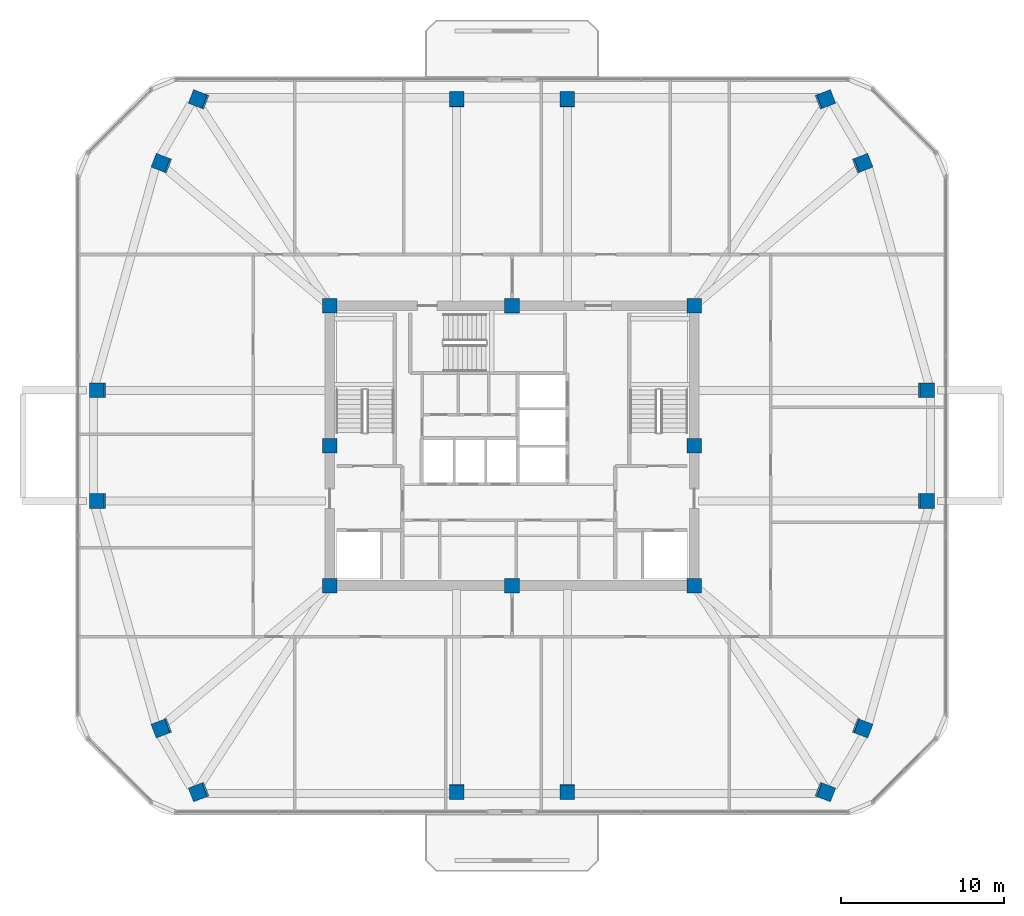
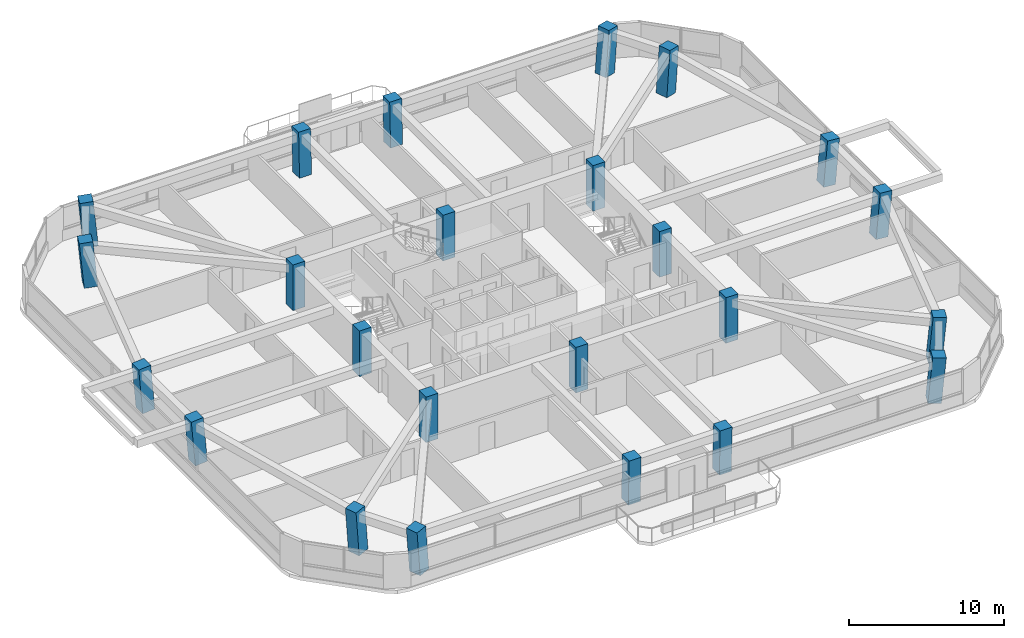
# One storey, part 1 of 13: 24 columns.
"""IFC4 building model written with IfcOpenShell, lengths in metres."""

import ifcopenshell
import ifcopenshell.guid

model = None  # the IFC model being written
_history = None  # IfcOwnerHistory: only IFC2X3 demands one
_inside = {}  # id of a spatial element -> (the spatial element, [elements in it])
_under = {}  # id of a project, library or spatial element -> (it, [spatial elements below it])
_declared = {}  # id of a project -> (the project, [libraries it declares])
_typed = {}  # id of a type object -> (the type object, [elements of that type])
_made_of = {}  # id of a material, layer set ... -> (it, [elements and type objects made of it])


def new_model(schema):
    """Start an empty IFC model of exactly this schema.

    Asked for "IFC4X3", IfcOpenShell would pick the latest addendum, in which some entities
    have other attributes; the version numbers below select the first issue.
    IFC2X3 requires an IfcOwnerHistory on every rooted entity: one is made here for all.
    """
    global model, _history
    if schema == "IFC4X3":
        model = ifcopenshell.file(schema_version=(4, 3, 0, 0))
    else:
        model = ifcopenshell.file(schema=schema)
    _inside.clear()
    _under.clear()
    _declared.clear()
    _typed.clear()
    _made_of.clear()
    _history = None
    if model.schema == "IFC2X3":
        org = make("IfcOrganization", Name="unknown")
        user = make(
            "IfcPersonAndOrganization",
            ThePerson=make("IfcPerson", FamilyName="unknown"),
            TheOrganization=org,
        )
        app = make(
            "IfcApplication",
            ApplicationDeveloper=org,
            Version="unknown",
            ApplicationFullName="unknown",
            ApplicationIdentifier="unknown",
        )
        _history = make(
            "IfcOwnerHistory",
            OwningUser=user,
            OwningApplication=app,
            ChangeAction="ADDED",
            CreationDate=0,
        )
    return model


def make(cls, **values):
    """One entity of the class cls with the attributes given. An attribute that is None is left unset."""
    return model.create_entity(
        cls, **{name: value for name, value in values.items() if value is not None}
    )


def rooted(cls, **values):
    """An entity with a GlobalId (a new one), such as an element, a storey or a relation."""
    return make(cls, GlobalId=ifcopenshell.guid.new(), OwnerHistory=_history, **values)


def si_unit(unit_type, name, prefix=None):
    """IfcSIUnit, for example si_unit("LENGTHUNIT", "METRE", prefix="MILLI")."""
    return make("IfcSIUnit", UnitType=unit_type, Prefix=prefix, Name=name)


def derived_unit(unit_type, elements):
    """IfcDerivedUnit: a product of units, each with its exponent."""
    return make(
        "IfcDerivedUnit",
        Elements=[
            make("IfcDerivedUnitElement", Unit=unit, Exponent=power)
            for unit, power in elements
        ],
        UnitType=unit_type,
    )


def assignment(units):
    """IfcUnitAssignment: the units of a project."""
    return None if units is None else make("IfcUnitAssignment", Units=units)


def point(xyz):
    """IfcCartesianPoint."""
    return None if xyz is None else make("IfcCartesianPoint", Coordinates=xyz)


def direction(xyz):
    """IfcDirection."""
    return None if xyz is None else make("IfcDirection", DirectionRatios=xyz)


def frame(location, z_axis=None, x_axis=None):
    """IfcAxis2Placement3D, a coordinate frame: its origin and axes. An axis left out is left unset."""
    return make(
        "IfcAxis2Placement3D",
        Location=point(location),
        Axis=direction(z_axis),
        RefDirection=direction(x_axis),
    )


def frame_2d(location, x_axis=None):
    """IfcAxis2Placement2D, a coordinate frame in the plane: its origin and x axis."""
    return make(
        "IfcAxis2Placement2D", Location=point(location), RefDirection=direction(x_axis)
    )


def origin():
    """The frame at (0, 0, 0) with its axes left unset."""
    return frame((0.0, 0.0, 0.0))


def origin_2d():
    """The frame at (0, 0) in the plane with its x axis left unset."""
    return frame_2d((0.0, 0.0))


def place(relative_to, where):
    """IfcLocalPlacement: puts the frame where relative to a parent placement (None: the world)."""
    return make(
        "IfcLocalPlacement", PlacementRelTo=relative_to, RelativePlacement=where
    )


def context(
    kind, dimensions, precision=None, world=None, true_north=None, identifier=None
):
    """IfcGeometricRepresentationContext, for example the 3D "Model" context."""
    return make(
        "IfcGeometricRepresentationContext",
        ContextIdentifier=identifier,
        ContextType=kind,
        CoordinateSpaceDimension=dimensions,
        Precision=precision,
        WorldCoordinateSystem=world,
        TrueNorth=true_north,
    )


def subcontext(parent, identifier, kind, view, scale=None):
    """IfcGeometricRepresentationSubContext, for example "Body" below "Model"."""
    return make(
        "IfcGeometricRepresentationSubContext",
        ContextIdentifier=identifier,
        ContextType=kind,
        ParentContext=parent,
        TargetScale=scale,
        TargetView=view,
    )


def project(units=None, contexts=None):
    """IfcProject with its units and contexts."""
    return rooted(
        "IfcProject",
        Name="project",
        RepresentationContexts=contexts,
        UnitsInContext=assignment(units),
    )


def spatial(cls, under=None, at=None, **own):
    """A site, building, storey or space (cls), placed at a placement, below another one or the project."""
    s = rooted(cls, ObjectPlacement=at, **own)
    if under is not None:
        _under.setdefault(under.id(), (under, []))[1].append(s)
    return s


def profile(cls, at=None, kind="AREA", **sizes):
    """A parametric profile (cls). Its sizes go by their IFC names, for example OverallWidth=200.0."""
    return make(cls, ProfileType=kind, Position=at, **sizes)


def rectangle(**sizes):
    """IfcRectangleProfileDef."""
    return profile("IfcRectangleProfileDef", **sizes)


def extrude(swept, where, along, depth):
    """IfcExtrudedAreaSolid: the profile swept, set in the frame where, extruded along a direction by depth."""
    return make(
        "IfcExtrudedAreaSolid",
        SweptArea=swept,
        Position=where,
        ExtrudedDirection=direction(along),
        Depth=depth,
    )


def shape(context_of_items, identifier, shape_type, items):
    """IfcShapeRepresentation: the items that make up one representation, for example the "Body"."""
    return make(
        "IfcShapeRepresentation",
        ContextOfItems=context_of_items,
        RepresentationIdentifier=identifier,
        RepresentationType=shape_type,
        Items=items,
    )


def material(Name=None, Category=None):
    """IfcMaterial."""
    return make("IfcMaterial", Name=Name, Category=Category)


def material_profile(
    of_material, cross_section, Name=None, Category=None, Priority=None
):
    """IfcMaterialProfile: a cross section and its material."""
    return make(
        "IfcMaterialProfile",
        Name=Name,
        Material=of_material,
        Profile=cross_section,
        Priority=Priority,
        Category=Category,
    )


def profile_set(profiles, Name=None, composite=None):
    """IfcMaterialProfileSet."""
    return make(
        "IfcMaterialProfileSet",
        Name=Name,
        MaterialProfiles=profiles,
        CompositeProfile=composite,
    )


def made_of(thing, what):
    """Note that an element or type object is made of a material, layer set ...; save() writes the relation."""
    if what is not None:
        _made_of.setdefault(what.id(), (what, []))[1].append(thing)
    return thing


def type_object(cls, material=None, **own):
    """A type object (cls), such as IfcWallType, which elements share."""
    return made_of(rooted(cls, **own), material)


def element(
    cls,
    number,
    at=None,
    inside=None,
    cuts=None,
    type_object=None,
    material=None,
    context=None,
    identifier="Body",
    shape_type=None,
    held_by="IfcProductDefinitionShape",
    body=None,
    shapes=None,
    **own,
):
    """One element of the class cls, such as IfcWall. Its Tag is "e" and its number.

    at: its placement. inside: the storey or other place that contains it. cuts: it is an
    opening in that element (IfcRelVoidsElement). A single representation is given by context,
    identifier, shape_type and body (its items); several are given by shapes. held_by: the class
    of the entity that holds the representations. save() writes the other relations.
    """
    e = rooted(cls, Tag="e%d" % number, ObjectPlacement=at, **own)
    if body is not None:
        shapes = [shape(context, identifier, shape_type, body)]
    if shapes is not None:
        e.Representation = make(held_by, Representations=shapes)
    if inside is not None:
        _inside.setdefault(inside.id(), (inside, []))[1].append(e)
    if cuts is not None:
        rooted(
            "IfcRelVoidsElement", RelatingBuildingElement=cuts, RelatedOpeningElement=e
        )
    if type_object is not None:
        _typed.setdefault(type_object.id(), (type_object, []))[1].append(e)
    return made_of(e, material)


def aggregate(whole, parts):
    """IfcRelAggregates: a whole, such as a stair, and the parts it consists of."""
    return rooted("IfcRelAggregates", RelatingObject=whole, RelatedObjects=parts)


def save(model, path):
    """Write the relations noted so far, then the file.

    IfcRelAggregates (storeys below a building ...), IfcRelContainedInSpatialStructure (elements
    in a storey), IfcRelDefinesByType, IfcRelAssociatesMaterial and IfcRelDeclares: one each for
    every whole, place, type object, material and project.
    """
    for whole, parts in _under.values():
        aggregate(whole, parts)
    for where, things in _inside.values():
        rooted(
            "IfcRelContainedInSpatialStructure",
            RelatedElements=things,
            RelatingStructure=where,
        )
    for kind, things in _typed.values():
        rooted("IfcRelDefinesByType", RelatedObjects=things, RelatingType=kind)
    for what, things in _made_of.values():
        rooted("IfcRelAssociatesMaterial", RelatedObjects=things, RelatingMaterial=what)
    for by, libraries in _declared.values():
        rooted("IfcRelDeclares", RelatingContext=by, RelatedDefinitions=libraries)
    model.write(path)


model = new_model("IFC4")

# Units and contexts
model_context = context("Model", 3, precision=1e-05, world=origin(), true_north=direction((0.0, 1.0)))
body_context = subcontext(model_context, "Body", "Model", "MODEL_VIEW")
ifc_project = project(units=[si_unit("LENGTHUNIT", "METRE"), si_unit("AREAUNIT", "SQUARE_METRE"), si_unit("VOLUMEUNIT", "CUBIC_METRE"), si_unit("PLANEANGLEUNIT", "RADIAN"), si_unit("MASSUNIT", "GRAM", prefix="KILO"), derived_unit("THERMALTRANSMITTANCEUNIT", [(si_unit("POWERUNIT", "WATT"), 1), (si_unit("LENGTHUNIT", "METRE"), -2), (si_unit("THERMODYNAMICTEMPERATUREUNIT", "KELVIN"), -1)])], contexts=[model_context])

# Site, building, storey
site_placement = place(None, origin())
site = spatial("IfcSite", under=ifc_project, at=site_placement, CompositionType="ELEMENT")
building_placement = place(site_placement, origin())
building = spatial("IfcBuilding", under=site, at=building_placement, Name="Koralith Skygarden Medical Center", CompositionType="ELEMENT")
storey_placement = place(building_placement, frame((0.0, 0.0, 217.97998046875)))
storey = spatial("IfcBuildingStorey", under=building, at=storey_placement, Name="L56", CompositionType="ELEMENT", Elevation=217.97998046875)

# Columns
ifc_material = material(Name="Concrete C55/67", Category="concrete")
ifc_material_profile_1 = material_profile(ifc_material, rectangle(XDim=0.89990234375, YDim=0.89990234375, at=origin_2d()), Name="RC900X900")
ifc_profile_set_1 = profile_set([ifc_material_profile_1], Name="Concrete C55/67")
column_type_1 = type_object("IfcColumnType", Name="Core Column C55 RC900", PredefinedType="COLUMN", material=ifc_profile_set_1)
for number, where, z_axis, x_axis, name in (
    (1, (25.800048828125, 17.300048828125, 0.0), (0.0, 0.0, 1.0), (1.0, 0.0, 0.0), "L56 Core Column CC-01"),
    (2, (37.0, 17.300048828125, 0.0), (0.0, 0.0, 1.0), (1.0, 0.0, 0.0), "L56 Core Column CC-02"),
    (3, (48.199951171875, 17.300048828125, 0.0), (0.0, 0.0, 1.0), (1.0, 0.0, 0.0), "L56 Core Column CC-03"),
    (4, (48.199951171875, 25.89990234375, 0.0), (0.0, 0.0, 1.0), (1.0, 0.0, 0.0), "L56 Core Column CC-04"),
    (5, (48.199951171875, 34.5, 0.0), (0.0, 0.0, 1.0), (1.0, 0.0, 0.0), "L56 Core Column CC-05"),
    (6, (37.0, 34.5, 0.0), (0.0, 0.0, 1.0), (1.0, 0.0, 0.0), "L56 Core Column CC-06"),
    (7, (25.800048828125, 34.5, 0.0), (0.0, 0.0, 1.0), (1.0, 0.0, 0.0), "L56 Core Column CC-07"),
    (8, (25.800048828125, 25.89990234375, 0.0), (0.0, 0.0, 1.0), (1.0, 0.0, 0.0), "L56 Core Column CC-08"),
):
    element("IfcColumn", number, at=place(storey_placement, frame(where, z_axis=z_axis, x_axis=x_axis)), inside=storey, type_object=column_type_1, Name=name, PredefinedType="COLUMN", context=body_context, shape_type="SweptSolid", body=[
        extrude(rectangle(XDim=0.89990234375, YDim=0.89990234375, at=origin_2d()), origin(), (0.0, 0.0, 1.0), 3.60009765625),
    ])
ifc_material_profile_2 = material_profile(ifc_material, rectangle(XDim=0.89990234375, YDim=0.89990234375, at=origin_2d()), Name="RC900X900")
ifc_profile_set_2 = profile_set([ifc_material_profile_2], Name="Concrete C55/67")
column_type_2 = type_object("IfcColumnType", Name="Zone 4 Flare Mega-Column C55 RC900", PredefinedType="COLUMN", material=ifc_profile_set_2)
column_1_placement = place(storey_placement, frame((11.5810546875, 22.5, 0.02099609375), z_axis=(-0.084844599786, 0.0, 0.996394196032), x_axis=(0.0, -1.0, 0.0)))
element("IfcColumn", 9, at=column_1_placement, inside=storey, type_object=column_type_2, Name="L56 Perimeter Mega-Column MC-01", PredefinedType="COLUMN", context=body_context, shape_type="SweptSolid", body=[
    extrude(rectangle(XDim=0.89990234375, YDim=0.89990234375, at=origin_2d()), origin(), (0.0, 0.0, 1.0), 3.571044921875),
])
for number, where, z_axis, x_axis, name in (
    (10, (15.5009765625, 8.555908203125, 0.02099609375), (-0.084799896141, -0.032457655654, 0.995869207378), (0.357465730512, -0.933926255927, 0.0), "L56 Perimeter Mega-Column MC-02"),
    (11, (17.7919921875, 4.635986328125, 0.02099609375), (-0.084528524595, -0.032458406776, 0.995892253389), (0.358473312771, -0.933539974522, 0.0), "L56 Perimeter Mega-Column MC-03"),
):
    element("IfcColumn", number, at=place(storey_placement, frame(where, z_axis=z_axis, x_axis=x_axis)), inside=storey, type_object=column_type_2, Name=name, PredefinedType="COLUMN", context=body_context, shape_type="SweptSolid", body=[
        extrude(rectangle(XDim=0.89990234375, YDim=0.89990234375, at=origin_2d()), origin(), (0.0, 0.0, 1.0), 3.57275390625),
    ])
for number, where, z_axis, x_axis, name in (
    (12, (33.60009765625, 4.635986328125, 0.02099609375), (0.0, -0.032574990718, 0.999469294166), (1.0, 0.0, 0.0), "L56 Perimeter Mega-Column MC-04"),
    (13, (40.39990234375, 4.635986328125, 0.02099609375), (0.0, -0.032574990718, 0.999469294166), (1.0, 0.0, 0.0), "L56 Perimeter Mega-Column MC-05"),
):
    element("IfcColumn", number, at=place(storey_placement, frame(where, z_axis=z_axis, x_axis=x_axis)), inside=storey, type_object=column_type_2, Name=name, PredefinedType="COLUMN", context=body_context, shape_type="SweptSolid", body=[
        extrude(rectangle(XDim=0.89990234375, YDim=0.89990234375, at=origin_2d()), origin(), (0.0, 0.0, 1.0), 3.56005859375),
    ])
for number, where, z_axis, x_axis, name in (
    (14, (56.2080078125, 4.635986328125, 0.02099609375), (0.084528524595, -0.032458406776, 0.995892253389), (0.358473312771, 0.933539974522, 0.0), "L56 Perimeter Mega-Column MC-06"),
    (15, (58.4990234375, 8.555908203125, 0.02099609375), (0.084799896141, -0.032457655654, 0.995869207378), (0.357465730512, 0.933926255927, 0.0), "L56 Perimeter Mega-Column MC-07"),
):
    element("IfcColumn", number, at=place(storey_placement, frame(where, z_axis=z_axis, x_axis=x_axis)), inside=storey, type_object=column_type_2, Name=name, PredefinedType="COLUMN", context=body_context, shape_type="SweptSolid", body=[
        extrude(rectangle(XDim=0.89990234375, YDim=0.89990234375, at=origin_2d()), origin(), (0.0, 0.0, 1.0), 3.57275390625),
    ])
for number, where, z_axis, x_axis, name in (
    (16, (62.4189453125, 22.5, 0.02099609375), (0.084844599786, 0.0, 0.996394196032), (0.0, 1.0, 0.0), "L56 Perimeter Mega-Column MC-08"),
    (17, (62.4189453125, 29.300048828125, 0.02099609375), (0.084844599786, 0.0, 0.996394196032), (0.0, 1.0, 0.0), "L56 Perimeter Mega-Column MC-09"),
):
    element("IfcColumn", number, at=place(storey_placement, frame(where, z_axis=z_axis, x_axis=x_axis)), inside=storey, type_object=column_type_2, Name=name, PredefinedType="COLUMN", context=body_context, shape_type="SweptSolid", body=[
        extrude(rectangle(XDim=0.89990234375, YDim=0.89990234375, at=origin_2d()), origin(), (0.0, 0.0, 1.0), 3.571044921875),
    ])
for number, where, z_axis, x_axis, name in (
    (18, (58.4990234375, 43.243896484375, 0.02099609375), (0.084799707866, 0.032525915346, 0.995866996329), (-0.358121861648, 0.933674853581, 0.0), "L56 Perimeter Mega-Column MC-10"),
    (19, (56.2080078125, 47.1640625, 0.02099609375), (0.084528524595, 0.032458406776, 0.995892253389), (-0.358473312771, 0.933539974522, 0.0), "L56 Perimeter Mega-Column MC-11"),
):
    element("IfcColumn", number, at=place(storey_placement, frame(where, z_axis=z_axis, x_axis=x_axis)), inside=storey, type_object=column_type_2, Name=name, PredefinedType="COLUMN", context=body_context, shape_type="SweptSolid", body=[
        extrude(rectangle(XDim=0.89990234375, YDim=0.89990234375, at=origin_2d()), origin(), (0.0, 0.0, 1.0), 3.57275390625),
    ])
for number, where, z_axis, x_axis, name in (
    (20, (40.39990234375, 47.1640625, 0.02099609375), (0.0, 0.032574990718, 0.999469294166), (-1.0, 0.0, 0.0), "L56 Perimeter Mega-Column MC-12"),
    (21, (33.60009765625, 47.1640625, 0.02099609375), (0.0, 0.032574990718, 0.999469294166), (-1.0, 0.0, 0.0), "L56 Perimeter Mega-Column MC-13"),
):
    element("IfcColumn", number, at=place(storey_placement, frame(where, z_axis=z_axis, x_axis=x_axis)), inside=storey, type_object=column_type_2, Name=name, PredefinedType="COLUMN", context=body_context, shape_type="SweptSolid", body=[
        extrude(rectangle(XDim=0.89990234375, YDim=0.89990234375, at=origin_2d()), origin(), (0.0, 0.0, 1.0), 3.56005859375),
    ])
for number, where, z_axis, x_axis, name in (
    (22, (17.7919921875, 47.1640625, 0.02099609375), (-0.084528524595, 0.032458406776, 0.995892253389), (-0.358473312771, -0.933539974522, 0.0), "L56 Perimeter Mega-Column MC-14"),
    (23, (15.5009765625, 43.243896484375, 0.02099609375), (-0.084799707866, 0.032525915346, 0.995866996329), (-0.358121861648, -0.933674853581, 0.0), "L56 Perimeter Mega-Column MC-15"),
):
    element("IfcColumn", number, at=place(storey_placement, frame(where, z_axis=z_axis, x_axis=x_axis)), inside=storey, type_object=column_type_2, Name=name, PredefinedType="COLUMN", context=body_context, shape_type="SweptSolid", body=[
        extrude(rectangle(XDim=0.89990234375, YDim=0.89990234375, at=origin_2d()), origin(), (0.0, 0.0, 1.0), 3.57275390625),
    ])
column_2_placement = place(storey_placement, frame((11.5810546875, 29.300048828125, 0.02099609375), z_axis=(-0.084844599786, 0.0, 0.996394196032), x_axis=(0.0, -1.0, 0.0)))
element("IfcColumn", 24, at=column_2_placement, inside=storey, type_object=column_type_2, Name="L56 Perimeter Mega-Column MC-16", PredefinedType="COLUMN", context=body_context, shape_type="SweptSolid", body=[
    extrude(rectangle(XDim=0.89990234375, YDim=0.89990234375, at=origin_2d()), origin(), (0.0, 0.0, 1.0), 3.571044921875),
])

save(model, "model.ifc")
